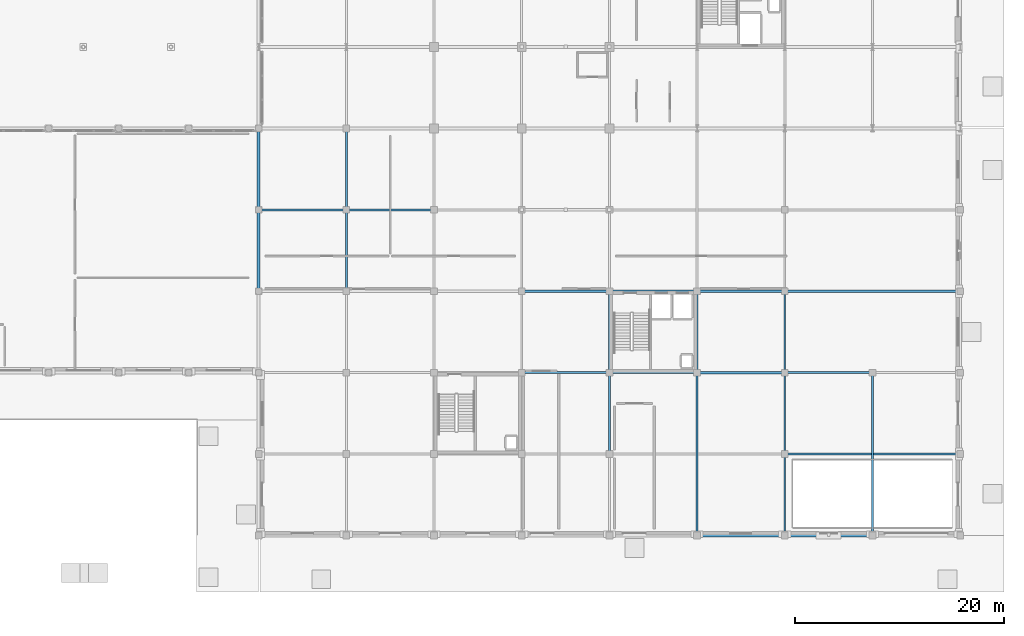
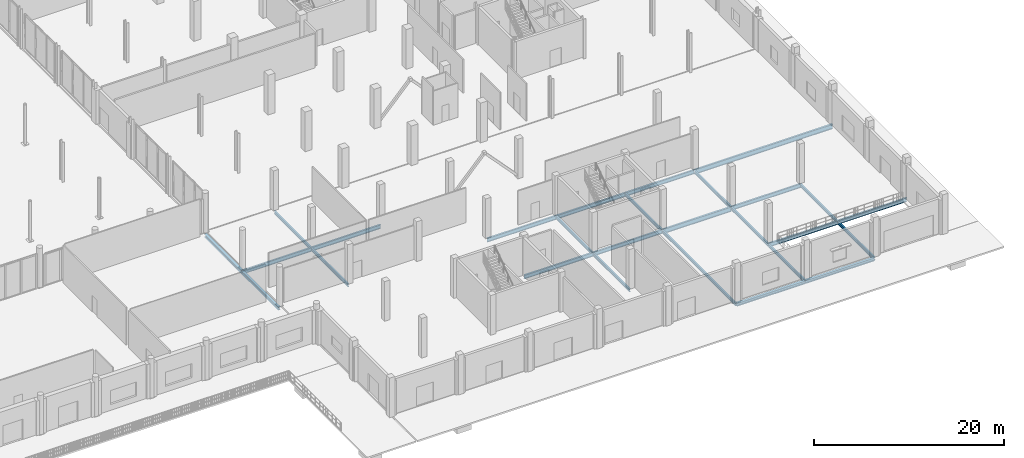
# One storey, part 34 of 80: 25 beams.
"""IFC4 building model written with IfcOpenShell, lengths in metres."""

from ifc_helpers import new_model, si_unit, direction, frame, origin, origin_2d, place, context, subcontext, project, spatial, i_section, extrude, material, material_profile, profile_set, type_object, element, save


model = new_model("IFC4")

# Units and contexts
model_context = context("Model", 3, precision=1e-05, world=origin(), true_north=direction((0.0, 1.0)))
body_context = subcontext(model_context, "Body", "Model", "MODEL_VIEW")
ifc_project = project(units=[si_unit("LENGTHUNIT", "METRE"), si_unit("AREAUNIT", "SQUARE_METRE"), si_unit("VOLUMEUNIT", "CUBIC_METRE"), si_unit("PLANEANGLEUNIT", "RADIAN"), si_unit("MASSUNIT", "GRAM", prefix="KILO")], contexts=[model_context])

# Site, building, storey
site_placement = place(None, origin())
site = spatial("IfcSite", under=ifc_project, at=site_placement, CompositionType="ELEMENT")
building_placement = place(site_placement, origin())
building = spatial("IfcBuilding", under=site, at=building_placement, Name="Nabrawat Pavilion Hospital", CompositionType="ELEMENT")
storey_placement = place(building_placement, origin())
storey = spatial("IfcBuildingStorey", under=building, at=storey_placement, Name="L00", CompositionType="ELEMENT", Elevation=0.0)

# Beams
ifc_material = material(Name="Steel S355", Category="steel")
ifc_material_profile_1 = material_profile(ifc_material, i_section(OverallWidth=0.300048828125, OverallDepth=0.389892578125, WebThickness=0.010986328125, FlangeThickness=0.01904296875, FilletRadius=0.027099609375, at=origin_2d()), Name="HEA 400")
ifc_profile_set_1 = profile_set([ifc_material_profile_1], Name="Steel S355")
beam_type_1 = type_object("IfcBeamType", Name="Perimeter Moment Spandrel Beam HEA 400", PredefinedType="SPANDREL", material=ifc_profile_set_1)
beam_1_placement = place(storey_placement, frame((168.02001953125, 0.0, -0.425048828125), z_axis=(1.0, 0.0, 0.0), x_axis=(0.0, 1.0, 0.0)))
element("IfcBeam", 1, at=beam_1_placement, inside=storey, type_object=beam_type_1, Name="L00 Primary X Girder 13", PredefinedType="SPANDREL", context=body_context, shape_type="SweptSolid", body=[
    extrude(i_section(OverallWidth=0.300048828125, OverallDepth=0.389892578125, WebThickness=0.010986328125, FlangeThickness=0.01904296875, FilletRadius=0.027099609375, at=origin_2d()), origin(), (0.0, 0.0, 1.0), 8.35986328125),
])
beam_2_placement = place(storey_placement, frame((176.419921875, 0.0, -0.425048828125), z_axis=(1.0, 0.0, 0.0), x_axis=(0.0, 1.0, 0.0)))
element("IfcBeam", 2, at=beam_2_placement, inside=storey, type_object=beam_type_1, Name="L00 Primary X Girder 14", PredefinedType="SPANDREL", context=body_context, shape_type="SweptSolid", body=[
    extrude(i_section(OverallWidth=0.300048828125, OverallDepth=0.389892578125, WebThickness=0.010986328125, FlangeThickness=0.01904296875, FilletRadius=0.027099609375, at=origin_2d()), origin(), (0.0, 0.0, 1.0), 8.360107421875),
])
for number, where, z_axis, x_axis, name in (
    (3, (126.0, 23.419921875, -0.455078125), (0.0, 1.0, 0.0), (-1.0, 0.0, 0.0), "L00 Primary Y Beam 323"),
    (4, (126.0, 31.219970703125, -0.455078125), (0.0, 1.0, 0.0), (-1.0, 0.0, 0.0), "L00 Primary Y Beam 324"),
):
    element("IfcBeam", number, at=place(storey_placement, frame(where, z_axis=z_axis, x_axis=x_axis)), inside=storey, type_object=beam_type_1, Name=name, PredefinedType="SPANDREL", context=body_context, shape_type="SweptSolid", body=[
        extrude(i_section(OverallWidth=0.300048828125, OverallDepth=0.389892578125, WebThickness=0.010986328125, FlangeThickness=0.01904296875, FilletRadius=0.027099609375, at=origin_2d()), origin(), (0.0, 0.0, 1.0), 7.760009765625),
    ])
ifc_material_profile_2 = material_profile(ifc_material, i_section(OverallWidth=0.199951171875, OverallDepth=0.5, WebThickness=0.01025390625, FlangeThickness=0.01611328125, FilletRadius=0.02099609375, at=origin_2d()), Name="IPE 500")
ifc_profile_set_2 = profile_set([ifc_material_profile_2], Name="Steel S355")
beam_type_2 = type_object("IfcBeamType", Name="Standard X Floor Girder IPE 500", PredefinedType="USERDEFINED", material=ifc_profile_set_2)
beam_3_placement = place(storey_placement, frame((176.419921875, 7.800048828125, -0.47998046875), z_axis=(1.0, 0.0, 0.0), x_axis=(0.0, 1.0, 0.0)))
element("IfcBeam", 5, at=beam_3_placement, inside=storey, type_object=beam_type_2, Name="L00 Primary X Girder 23", ObjectType="GIRDER", PredefinedType="USERDEFINED", context=body_context, shape_type="SweptSolid", body=[
    extrude(i_section(OverallWidth=0.199951171875, OverallDepth=0.5, WebThickness=0.01025390625, FlangeThickness=0.01611328125, FilletRadius=0.02099609375, at=origin_2d()), origin(), (0.0, 0.0, 1.0), 16.760009765625),
])
beam_4_placement = place(storey_placement, frame((151.219970703125, 15.60009765625, -0.47998046875), z_axis=(1.0, 0.0, 0.0), x_axis=(0.0, 1.0, 0.0)))
element("IfcBeam", 6, at=beam_4_placement, inside=storey, type_object=beam_type_2, Name="L00 Primary X Girder 40", ObjectType="GIRDER", PredefinedType="USERDEFINED", context=body_context, shape_type="SweptSolid", body=[
    extrude(i_section(OverallWidth=0.199951171875, OverallDepth=0.5, WebThickness=0.01025390625, FlangeThickness=0.01611328125, FilletRadius=0.02099609375, at=origin_2d()), origin(), (0.0, 0.0, 1.0), 8.360107421875),
])
beam_5_placement = place(storey_placement, frame((159.6201171875, 15.60009765625, -0.47998046875), z_axis=(1.0, 0.0, 0.0), x_axis=(0.0, 1.0, 0.0)))
element("IfcBeam", 7, at=beam_5_placement, inside=storey, type_object=beam_type_2, Name="L00 Primary X Girder 41", ObjectType="GIRDER", PredefinedType="USERDEFINED", context=body_context, shape_type="SweptSolid", body=[
    extrude(i_section(OverallWidth=0.199951171875, OverallDepth=0.5, WebThickness=0.01025390625, FlangeThickness=0.01611328125, FilletRadius=0.02099609375, at=origin_2d()), origin(), (0.0, 0.0, 1.0), 8.35986328125),
])
for number, where, z_axis, x_axis, name in (
    (8, (176.419921875, 15.60009765625, -0.47998046875), (1.0, 0.0, 0.0), (0.0, 1.0, 0.0), "L00 Primary X Girder 43"),
    (9, (151.219970703125, 23.39990234375, -0.47998046875), (1.0, 0.0, 0.0), (0.0, 1.0, 0.0), "L00 Primary X Girder 51"),
):
    element("IfcBeam", number, at=place(storey_placement, frame(where, z_axis=z_axis, x_axis=x_axis)), inside=storey, type_object=beam_type_2, Name=name, ObjectType="GIRDER", PredefinedType="USERDEFINED", context=body_context, shape_type="SweptSolid", body=[
        extrude(i_section(OverallWidth=0.199951171875, OverallDepth=0.5, WebThickness=0.01025390625, FlangeThickness=0.01611328125, FilletRadius=0.02099609375, at=origin_2d()), origin(), (0.0, 0.0, 1.0), 8.360107421875),
    ])
for number, where, z_axis, x_axis, name in (
    (10, (159.6201171875, 23.39990234375, -0.47998046875), (1.0, 0.0, 0.0), (0.0, 1.0, 0.0), "L00 Primary X Girder 52"),
    (11, (168.02001953125, 23.39990234375, -0.47998046875), (1.0, 0.0, 0.0), (0.0, 1.0, 0.0), "L00 Primary X Girder 53"),
    (12, (126.02001953125, 31.199951171875, -0.47998046875), (1.0, 0.0, 0.0), (0.0, 1.0, 0.0), "L00 Primary X Girder 57"),
):
    element("IfcBeam", number, at=place(storey_placement, frame(where, z_axis=z_axis, x_axis=x_axis)), inside=storey, type_object=beam_type_2, Name=name, ObjectType="GIRDER", PredefinedType="USERDEFINED", context=body_context, shape_type="SweptSolid", body=[
        extrude(i_section(OverallWidth=0.199951171875, OverallDepth=0.5, WebThickness=0.01025390625, FlangeThickness=0.01611328125, FilletRadius=0.02099609375, at=origin_2d()), origin(), (0.0, 0.0, 1.0), 8.35986328125),
    ])
beam_6_placement = place(storey_placement, frame((134.419921875, 31.199951171875, -0.47998046875), z_axis=(1.0, 0.0, 0.0), x_axis=(0.0, 1.0, 0.0)))
element("IfcBeam", 13, at=beam_6_placement, inside=storey, type_object=beam_type_2, Name="L00 Primary X Girder 58", ObjectType="GIRDER", PredefinedType="USERDEFINED", context=body_context, shape_type="SweptSolid", body=[
    extrude(i_section(OverallWidth=0.199951171875, OverallDepth=0.5, WebThickness=0.01025390625, FlangeThickness=0.01611328125, FilletRadius=0.02099609375, at=origin_2d()), origin(), (0.0, 0.0, 1.0), 8.360107421875),
])
ifc_material_profile_3 = material_profile(ifc_material, i_section(OverallWidth=0.179931640625, OverallDepth=0.39990234375, WebThickness=0.008544921875, FlangeThickness=0.013427734375, FilletRadius=0.02099609375, at=origin_2d()), Name="IPE 400")
ifc_profile_set_3 = profile_set([ifc_material_profile_3], Name="Steel S355")
beam_type_3 = type_object("IfcBeamType", Name="Standard Y Floor Beam IPE 400", PredefinedType="BEAM", material=ifc_profile_set_3)
for number, where, z_axis, x_axis, name in (
    (14, (134.39990234375, 23.419921875, -0.429931640625), (0.0, 1.0, 0.0), (-1.0, 0.0, 0.0), "L00 Primary Y Beam 339"),
    (15, (134.39990234375, 31.219970703125, -0.429931640625), (0.0, 1.0, 0.0), (-1.0, 0.0, 0.0), "L00 Primary Y Beam 340"),
    (16, (159.60009765625, 7.820068359375, -0.429931640625), (0.0, 1.0, 0.0), (-1.0, 0.0, 0.0), "L00 Primary Y Beam 385"),
):
    element("IfcBeam", number, at=place(storey_placement, frame(where, z_axis=z_axis, x_axis=x_axis)), inside=storey, type_object=beam_type_3, Name=name, PredefinedType="BEAM", context=body_context, shape_type="SweptSolid", body=[
        extrude(i_section(OverallWidth=0.179931640625, OverallDepth=0.39990234375, WebThickness=0.008544921875, FlangeThickness=0.013427734375, FilletRadius=0.02099609375, at=origin_2d()), origin(), (0.0, 0.0, 1.0), 7.760009765625),
    ])
beam_7_placement = place(storey_placement, frame((159.60009765625, 15.6201171875, -0.429931640625), z_axis=(0.0, 1.0, 0.0), x_axis=(-1.0, 0.0, 0.0)))
element("IfcBeam", 17, at=beam_7_placement, inside=storey, type_object=beam_type_3, Name="L00 Primary Y Beam 386", PredefinedType="BEAM", context=body_context, shape_type="SweptSolid", body=[
    extrude(i_section(OverallWidth=0.179931640625, OverallDepth=0.39990234375, WebThickness=0.008544921875, FlangeThickness=0.013427734375, FilletRadius=0.02099609375, at=origin_2d()), origin(), (0.0, 0.0, 1.0), 7.759765625),
])
beam_8_placement = place(storey_placement, frame((168.0, 0.02001953125, -0.429931640625), z_axis=(0.0, 1.0, 0.0), x_axis=(-1.0, 0.0, 0.0)))
element("IfcBeam", 18, at=beam_8_placement, inside=storey, type_object=beam_type_3, Name="L00 Primary Y Beam 400", PredefinedType="BEAM", context=body_context, shape_type="SweptSolid", body=[
    extrude(i_section(OverallWidth=0.179931640625, OverallDepth=0.39990234375, WebThickness=0.008544921875, FlangeThickness=0.013427734375, FilletRadius=0.02099609375, at=origin_2d()), origin(), (0.0, 0.0, 1.0), 15.56005859375),
])
beam_9_placement = place(storey_placement, frame((168.0, 15.6201171875, -0.429931640625), z_axis=(0.0, 1.0, 0.0), x_axis=(-1.0, 0.0, 0.0)))
element("IfcBeam", 19, at=beam_9_placement, inside=storey, type_object=beam_type_3, Name="L00 Primary Y Beam 401", PredefinedType="BEAM", context=body_context, shape_type="SweptSolid", body=[
    extrude(i_section(OverallWidth=0.179931640625, OverallDepth=0.39990234375, WebThickness=0.008544921875, FlangeThickness=0.013427734375, FilletRadius=0.02099609375, at=origin_2d()), origin(), (0.0, 0.0, 1.0), 7.759765625),
])
for number, where, z_axis, x_axis, name in (
    (20, (176.39990234375, 0.02001953125, -0.429931640625), (0.0, 1.0, 0.0), (-1.0, 0.0, 0.0), "L00 Primary Y Beam 409"),
    (21, (176.39990234375, 7.820068359375, -0.429931640625), (0.0, 1.0, 0.0), (-1.0, 0.0, 0.0), "L00 Primary Y Beam 410"),
):
    element("IfcBeam", number, at=place(storey_placement, frame(where, z_axis=z_axis, x_axis=x_axis)), inside=storey, type_object=beam_type_3, Name=name, PredefinedType="BEAM", context=body_context, shape_type="SweptSolid", body=[
        extrude(i_section(OverallWidth=0.179931640625, OverallDepth=0.39990234375, WebThickness=0.008544921875, FlangeThickness=0.013427734375, FilletRadius=0.02099609375, at=origin_2d()), origin(), (0.0, 0.0, 1.0), 7.760009765625),
    ])
beam_10_placement = place(storey_placement, frame((176.39990234375, 15.6201171875, -0.429931640625), z_axis=(0.0, 1.0, 0.0), x_axis=(-1.0, 0.0, 0.0)))
element("IfcBeam", 22, at=beam_10_placement, inside=storey, type_object=beam_type_3, Name="L00 Primary Y Beam 411", PredefinedType="BEAM", context=body_context, shape_type="SweptSolid", body=[
    extrude(i_section(OverallWidth=0.179931640625, OverallDepth=0.39990234375, WebThickness=0.008544921875, FlangeThickness=0.013427734375, FilletRadius=0.02099609375, at=origin_2d()), origin(), (0.0, 0.0, 1.0), 7.759765625),
])
beam_11_placement = place(storey_placement, frame((184.800048828125, 0.02001953125, -0.429931640625), z_axis=(0.0, 1.0, 0.0), x_axis=(-1.0, 0.0, 0.0)))
element("IfcBeam", 23, at=beam_11_placement, inside=storey, type_object=beam_type_3, Name="L00 Primary Y Beam 425", PredefinedType="BEAM", context=body_context, shape_type="SweptSolid", body=[
    extrude(i_section(OverallWidth=0.179931640625, OverallDepth=0.39990234375, WebThickness=0.008544921875, FlangeThickness=0.013427734375, FilletRadius=0.02099609375, at=origin_2d()), origin(), (0.0, 0.0, 1.0), 15.56005859375),
])
ifc_material_profile_4 = material_profile(ifc_material, i_section(OverallWidth=0.219970703125, OverallDepth=0.60009765625, WebThickness=0.011962890625, FlangeThickness=0.01904296875, FilletRadius=0.02392578125, at=origin_2d()), Name="IPE 600")
ifc_profile_set_4 = profile_set([ifc_material_profile_4], Name="Steel S355")
beam_type_4 = type_object("IfcBeamType", Name="Wide-Bay Floor Girder IPE 600", PredefinedType="USERDEFINED", material=ifc_profile_set_4)
beam_12_placement = place(storey_placement, frame((168.02001953125, 15.60009765625, -0.530029296875), z_axis=(1.0, 0.0, 0.0), x_axis=(0.0, 1.0, 0.0)))
element("IfcBeam", 24, at=beam_12_placement, inside=storey, type_object=beam_type_4, Name="L00 Primary X Girder 42", ObjectType="GIRDER", PredefinedType="USERDEFINED", context=body_context, shape_type="SweptSolid", body=[
    extrude(i_section(OverallWidth=0.219970703125, OverallDepth=0.60009765625, WebThickness=0.011962890625, FlangeThickness=0.01904296875, FilletRadius=0.02392578125, at=origin_2d()), origin(), (0.0, 0.0, 1.0), 8.35986328125),
])
beam_13_placement = place(storey_placement, frame((176.419921875, 23.39990234375, -0.530029296875), z_axis=(1.0, 0.0, 0.0), x_axis=(0.0, 1.0, 0.0)))
element("IfcBeam", 25, at=beam_13_placement, inside=storey, type_object=beam_type_4, Name="L00 Primary X Girder 54", ObjectType="GIRDER", PredefinedType="USERDEFINED", context=body_context, shape_type="SweptSolid", body=[
    extrude(i_section(OverallWidth=0.219970703125, OverallDepth=0.60009765625, WebThickness=0.011962890625, FlangeThickness=0.01904296875, FilletRadius=0.02392578125, at=origin_2d()), origin(), (0.0, 0.0, 1.0), 16.760009765625),
])

save(model, "model.ifc")
